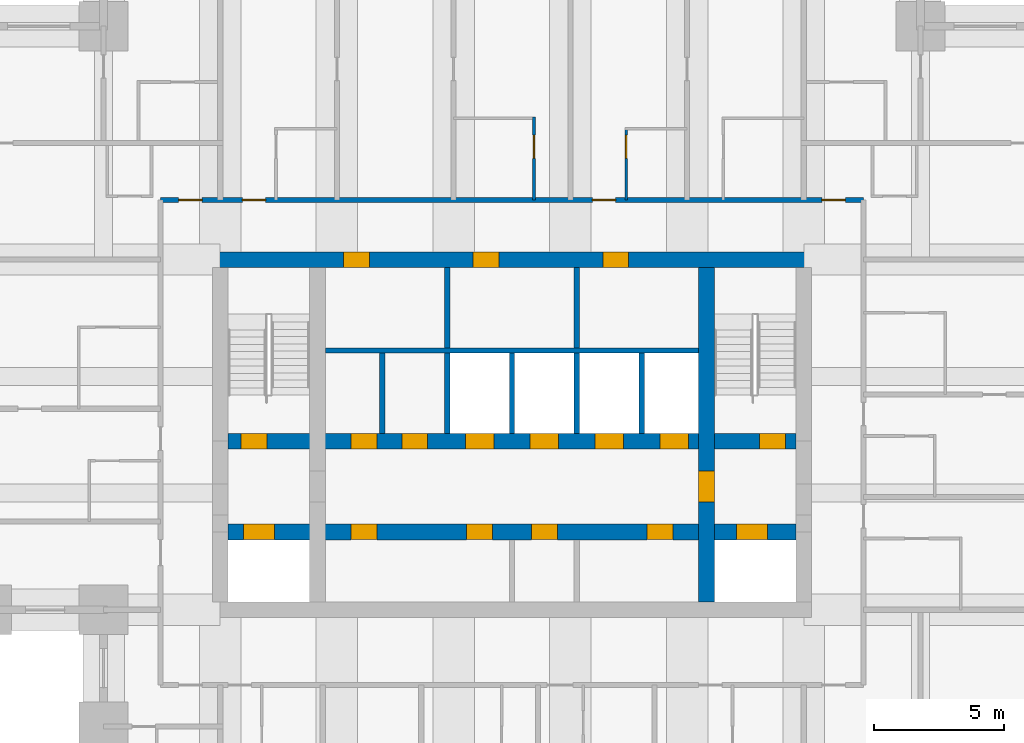
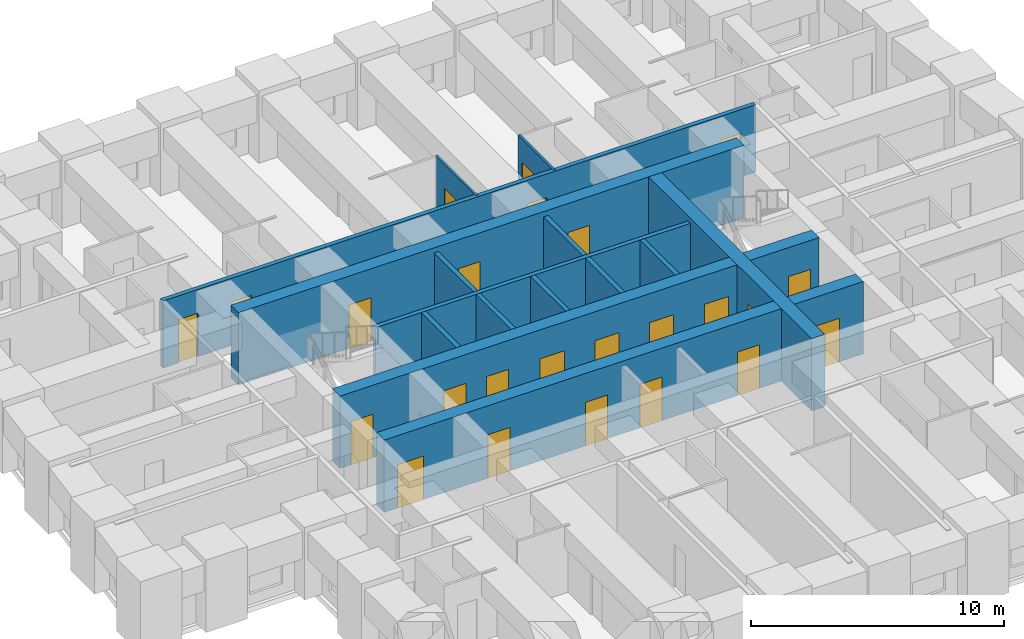
# One storey, part 4 of 8: 24 doors, 15 walls, 24 openings.
"""IFC4 building model written with IfcOpenShell, lengths in metres."""

from ifc_helpers import new_model, si_unit, direction, frame, frame_2d, origin, place, context, subcontext, project, spatial, rectangle, extrude, material, layer, layer_set, type_object, element, fill, save


model = new_model("IFC4")

# Units and contexts
model_context = context("Model", 3, precision=1e-05, world=origin(), true_north=direction((0.0, 1.0)))
body_context = subcontext(model_context, "Body", "Model", "MODEL_VIEW")
ifc_project = project(units=[si_unit("LENGTHUNIT", "METRE"), si_unit("AREAUNIT", "SQUARE_METRE"), si_unit("VOLUMEUNIT", "CUBIC_METRE"), si_unit("PLANEANGLEUNIT", "RADIAN"), si_unit("MASSUNIT", "GRAM", prefix="KILO")], contexts=[model_context])

# Site, building, storey
site_placement = place(None, origin())
site = spatial("IfcSite", under=ifc_project, at=site_placement, CompositionType="ELEMENT")
building_placement = place(site_placement, origin())
building = spatial("IfcBuilding", under=site, at=building_placement, Name="Kilele Tower Hotel", CompositionType="ELEMENT")
storey_placement = place(building_placement, frame((0.0, 0.0, 207.89990234375)))
storey = spatial("IfcBuildingStorey", under=building, at=storey_placement, Name="L54", CompositionType="ELEMENT", Elevation=207.89990234375)

# Wall, opening, door
ifc_material_1 = material(Name="Moisture-resistant board")
ifc_layer_1 = layer(ifc_material_1, 0.10009765625)
ifc_layer_set_1 = layer_set([ifc_layer_1], Name="Moisture-resistant board")
wall_type_1 = type_object("IfcWallType", Name="Bathroom partition 100", PredefinedType="PLUMBINGWALL", material=ifc_layer_set_1)
wall_1_placement = place(storey_placement, frame((25.60009765625, 29.300048828125, 0.0), z_axis=(0.0, 0.0, 1.0), x_axis=(0.0, 1.0, 0.0)))
wall_1 = element("IfcWall", 1, at=wall_1_placement, inside=storey, type_object=wall_type_1, Name="Bathroom partition 100 L54", PredefinedType="PLUMBINGWALL", context=body_context, shape_type="SweptSolid", body=[
    extrude(rectangle(XDim=3.199951171875, YDim=0.10009765625, at=frame_2d((1.60009765625, 0.0))), origin(), (0.0, 0.0, 1.0), 3.25),
])
opening_1_placement = place(wall_1_placement, frame((2.5, 0.0, 0.0), z_axis=(0.0, 0.0, 1.0), x_axis=(-1.0, 0.0, 0.0)))
opening_1 = element("IfcOpeningElement", 2, at=opening_1_placement, cuts=wall_1, Name="Opening D2A", PredefinedType="OPENING", context=body_context, shape_type="SweptSolid", body=[
    extrude(rectangle(XDim=0.89990234375, YDim=2.10009765625, at=frame_2d((0.449951171875, 1.050048828125))), frame((0.0, 0.06005859375, 0.0), z_axis=(0.0, -1.0, 0.0), x_axis=(1.0, 0.0, 0.0)), (0.0, 0.0, 1.0), 0.1201171875),
])
ifc_material_2 = material(Name="Timber door leaf in hardwood frame", Category="wood")
door_type_1 = type_object("IfcDoorType", Name="Bathroom door 900", OperationType="SINGLE_SWING_LEFT", PredefinedType="DOOR", material=ifc_material_2)
door_1_placement = place(opening_1_placement, origin())
door_1 = element("IfcDoor", 3, at=door_1_placement, inside=storey, type_object=door_type_1, Name="Bathroom door 5411B", OperationType="SINGLE_SWING_RIGHT", OverallHeight=2.10009765625, OverallWidth=0.89990234375, PredefinedType="DOOR", context=body_context, shape_type="SweptSolid", body=[
    extrude(rectangle(XDim=0.89990234375, YDim=2.10009765625, at=frame_2d((0.449951171875, 1.050048828125))), frame((0.0, 0.02490234375, 0.0), z_axis=(0.0, -1.0, 0.0), x_axis=(1.0, 0.0, 0.0)), (0.0, 0.0, 1.0), 0.050048828125),
])
fill(opening_1, door_1)

wall_2_placement = place(storey_placement, frame((29.14990234375, 29.300048828125, 0.0), z_axis=(0.0, 0.0, 1.0), x_axis=(0.0, 1.0, 0.0)))
wall_2 = element("IfcWall", 4, at=wall_2_placement, inside=storey, type_object=wall_type_1, Name="Bathroom partition 100 L54", PredefinedType="PLUMBINGWALL", context=body_context, shape_type="SweptSolid", body=[
    extrude(rectangle(XDim=2.800048828125, YDim=0.10009765625, at=frame_2d((1.39990234375, 0.0))), origin(), (0.0, 0.0, 1.0), 3.25),
])
opening_2_placement = place(wall_2_placement, frame((1.60009765625, 0.0, 0.0)))
opening_2 = element("IfcOpeningElement", 5, at=opening_2_placement, cuts=wall_2, Name="Opening D2A", PredefinedType="OPENING", context=body_context, shape_type="SweptSolid", body=[
    extrude(rectangle(XDim=0.89990234375, YDim=2.10009765625, at=frame_2d((0.449951171875, 1.050048828125))), frame((0.0, 0.06005859375, 0.0), z_axis=(0.0, -1.0, 0.0), x_axis=(1.0, 0.0, 0.0)), (0.0, 0.0, 1.0), 0.1201171875),
])
door_2_placement = place(opening_2_placement, origin())
door_2 = element("IfcDoor", 6, at=door_2_placement, inside=storey, type_object=door_type_1, Name="Bathroom door 5412B", OperationType="SINGLE_SWING_LEFT", OverallHeight=2.10009765625, OverallWidth=0.89990234375, PredefinedType="DOOR", context=body_context, shape_type="SweptSolid", body=[
    extrude(rectangle(XDim=0.89990234375, YDim=2.10009765625, at=frame_2d((0.449951171875, 1.050048828125))), frame((0.0, 0.02490234375, 0.0), z_axis=(0.0, -1.0, 0.0), x_axis=(1.0, 0.0, 0.0)), (0.0, 0.0, 1.0), 0.050048828125),
])
fill(opening_2, door_2)

# Wall, openings, doors
ifc_material_3 = material(Name="Concrete C70/85", Category="concrete")
ifc_layer_2 = layer(ifc_material_3, 0.60009765625)
ifc_layer_set_2 = layer_set([ifc_layer_2], Name="Concrete C70/85")
wall_type_2 = type_object("IfcWallType", Name="Core wall 600 C70/85", PredefinedType="SHEAR", material=ifc_layer_set_2)
wall_3_placement = place(storey_placement, frame((36.300048828125, 27.0, 0.0), z_axis=(0.0, 0.0, 1.0), x_axis=(-1.0, 0.0, 0.0)))
wall_3 = element("IfcWall", 7, at=wall_3_placement, inside=storey, type_object=wall_type_2, Name="Core wall N L54", PredefinedType="SHEAR", context=body_context, shape_type="SweptSolid", body=[
    extrude(rectangle(XDim=23.10009765625, YDim=0.60009765625, at=frame_2d((11.550048828125, 0.0))), origin(), (0.0, 0.0, 1.0), 3.5),
])
opening_3_placement = place(wall_3_placement, frame((17.050048828125, 0.0, 0.0)))
opening_3 = element("IfcOpeningElement", 8, at=opening_3_placement, cuts=wall_3, Name="Opening D6", PredefinedType="OPENING", context=body_context, shape_type="SweptSolid", body=[
    extrude(rectangle(XDim=1.0, YDim=2.10009765625, at=frame_2d((0.5, 1.050048828125))), frame((0.0, 0.31005859375, 0.0), z_axis=(0.0, -1.0, 0.0), x_axis=(1.0, 0.0, 0.0)), (0.0, 0.0, 1.0), 0.6201171875),
])
opening_4_placement = place(wall_3_placement, frame((12.050048828125, 0.0, 0.0)))
opening_4 = element("IfcOpeningElement", 9, at=opening_4_placement, cuts=wall_3, Name="Opening D6", PredefinedType="OPENING", context=body_context, shape_type="SweptSolid", body=[
    extrude(rectangle(XDim=1.0, YDim=2.10009765625, at=frame_2d((0.5, 1.050048828125))), frame((0.0, 0.31005859375, 0.0), z_axis=(0.0, -1.0, 0.0), x_axis=(1.0, 0.0, 0.0)), (0.0, 0.0, 1.0), 0.6201171875),
])
opening_5_placement = place(wall_3_placement, frame((7.050048828125, 0.0, 0.0)))
opening_5 = element("IfcOpeningElement", 10, at=opening_5_placement, cuts=wall_3, Name="Opening D6", PredefinedType="OPENING", context=body_context, shape_type="SweptSolid", body=[
    extrude(rectangle(XDim=1.0, YDim=2.10009765625, at=frame_2d((0.5, 1.050048828125))), frame((0.0, 0.31005859375, 0.0), z_axis=(0.0, -1.0, 0.0), x_axis=(1.0, 0.0, 0.0)), (0.0, 0.0, 1.0), 0.6201171875),
])
ifc_material_4 = material(Name="Timber door leaf in hardwood frame", Category="wood")
door_type_2 = type_object("IfcDoorType", Name="Riser door 1000", OperationType="SINGLE_SWING_LEFT", PredefinedType="DOOR", material=ifc_material_4)
door_3_placement = place(opening_3_placement, origin())
door_3 = element("IfcDoor", 11, at=door_3_placement, inside=storey, type_object=door_type_2, Name="Service riser door L54", OperationType="SINGLE_SWING_RIGHT", OverallHeight=2.10009765625, OverallWidth=1.0, PredefinedType="DOOR", context=body_context, shape_type="SweptSolid", body=[
    extrude(rectangle(XDim=1.0, YDim=2.10009765625, at=frame_2d((0.5, 1.050048828125))), frame((0.0, 0.2998046875, 0.0), z_axis=(0.0, -1.0, 0.0), x_axis=(1.0, 0.0, 0.0)), (0.0, 0.0, 1.0), 0.599609375),
])
fill(opening_3, door_3)
door_4_placement = place(opening_4_placement, origin())
door_4 = element("IfcDoor", 12, at=door_4_placement, inside=storey, type_object=door_type_2, Name="Housekeeping store door L54", OperationType="SINGLE_SWING_RIGHT", OverallHeight=2.10009765625, OverallWidth=1.0, PredefinedType="DOOR", context=body_context, shape_type="SweptSolid", body=[
    extrude(rectangle(XDim=1.0, YDim=2.10009765625, at=frame_2d((0.5, 1.050048828125))), frame((0.0, 0.2998046875, 0.0), z_axis=(0.0, -1.0, 0.0), x_axis=(1.0, 0.0, 0.0)), (0.0, 0.0, 1.0), 0.599609375),
])
fill(opening_4, door_4)
door_5_placement = place(opening_5_placement, origin())
door_5 = element("IfcDoor", 13, at=door_5_placement, inside=storey, type_object=door_type_2, Name="Electrical riser door L54", OperationType="SINGLE_SWING_RIGHT", OverallHeight=2.10009765625, OverallWidth=1.0, PredefinedType="DOOR", context=body_context, shape_type="SweptSolid", body=[
    extrude(rectangle(XDim=1.0, YDim=2.10009765625, at=frame_2d((0.5, 1.050048828125))), frame((0.0, 0.2998046875, 0.0), z_axis=(0.0, -1.0, 0.0), x_axis=(1.0, 0.0, 0.0)), (0.0, 0.0, 1.0), 0.599609375),
])
fill(opening_5, door_5)

# Wall, opening, door
wall_4_placement = place(storey_placement, frame((32.25, 13.800048828125, 0.0), z_axis=(0.0, 0.0, 1.0), x_axis=(0.0, 1.0, 0.0)))
wall_4 = element("IfcWall", 14, at=wall_4_placement, inside=storey, type_object=wall_type_2, Name="Core wall IE L54", PredefinedType="SHEAR", context=body_context, shape_type="SweptSolid", body=[
    extrude(rectangle(XDim=12.89990234375, YDim=0.60009765625, at=frame_2d((6.449951171875, 0.0))), origin(), (0.0, 0.0, 1.0), 3.5),
])
opening_6_placement = place(wall_4_placement, frame((5.050048828125, 0.0, 0.0), z_axis=(0.0, 0.0, 1.0), x_axis=(-1.0, 0.0, 0.0)))
opening_6 = element("IfcOpeningElement", 15, at=opening_6_placement, cuts=wall_4, Name="Opening D4", PredefinedType="OPENING", context=body_context, shape_type="SweptSolid", body=[
    extrude(rectangle(XDim=1.199951171875, YDim=2.10009765625, at=frame_2d((0.60009765625, 1.050048828125))), frame((0.0, 0.31005859375, 0.0), z_axis=(0.0, -1.0, 0.0), x_axis=(1.0, 0.0, 0.0)), (0.0, 0.0, 1.0), 0.6201171875),
])
ifc_material_5 = material(Name="Timber door leaf in hardwood frame", Category="wood")
door_type_3 = type_object("IfcDoorType", Name="Firefighting lobby door 1200", OperationType="SINGLE_SWING_LEFT", PredefinedType="DOOR", material=ifc_material_5)
door_6_placement = place(opening_6_placement, origin())
door_6 = element("IfcDoor", 16, at=door_6_placement, inside=storey, type_object=door_type_3, Name="Lobby door L54", OperationType="SINGLE_SWING_RIGHT", OverallHeight=2.10009765625, OverallWidth=1.199951171875, PredefinedType="DOOR", context=body_context, shape_type="SweptSolid", body=[
    extrude(rectangle(XDim=1.199951171875, YDim=2.10009765625, at=frame_2d((0.60009765625, 1.050048828125))), frame((0.0, 0.2998046875, 0.0), z_axis=(0.0, -1.0, 0.0), x_axis=(1.0, 0.0, 0.0)), (0.0, 0.0, 1.0), 0.599609375),
])
fill(opening_6, door_6)

# Wall, openings, doors
wall_5_placement = place(storey_placement, frame((13.800048828125, 16.5, 0.0), z_axis=(0.0, 0.0, 1.0), x_axis=(1.0, 0.0, 0.0)))
wall_5 = element("IfcWall", 17, at=wall_5_placement, inside=storey, type_object=wall_type_2, Name="Core wall LS L54", PredefinedType="SHEAR", context=body_context, shape_type="SweptSolid", body=[
    extrude(rectangle(XDim=21.89990234375, YDim=0.60009765625, at=frame_2d((10.949951171875, 0.0))), origin(), (0.0, 0.0, 1.0), 3.5),
])
opening_7_placement = place(wall_5_placement, frame((5.75, 0.0, 0.0), z_axis=(0.0, 0.0, 1.0), x_axis=(-1.0, 0.0, 0.0)))
opening_7 = element("IfcOpeningElement", 18, at=opening_7_placement, cuts=wall_5, Name="Opening D11", PredefinedType="OPENING", context=body_context, shape_type="SweptSolid", body=[
    extrude(rectangle(XDim=1.0, YDim=2.10009765625, at=frame_2d((0.5, 1.050048828125))), frame((0.0, 0.31005859375, 0.0), z_axis=(0.0, -1.0, 0.0), x_axis=(1.0, 0.0, 0.0)), (0.0, 0.0, 1.0), 0.6201171875),
])
opening_8_placement = place(wall_5_placement, frame((10.199951171875, 0.0, 0.0), z_axis=(0.0, 0.0, 1.0), x_axis=(-1.0, 0.0, 0.0)))
opening_8 = element("IfcOpeningElement", 19, at=opening_8_placement, cuts=wall_5, Name="Opening D11", PredefinedType="OPENING", context=body_context, shape_type="SweptSolid", body=[
    extrude(rectangle(XDim=1.0, YDim=2.10009765625, at=frame_2d((0.5, 1.050048828125))), frame((0.0, 0.31005859375, 0.0), z_axis=(0.0, -1.0, 0.0), x_axis=(1.0, 0.0, 0.0)), (0.0, 0.0, 1.0), 0.6201171875),
])
opening_9_placement = place(wall_5_placement, frame((12.699951171875, 0.0, 0.0), z_axis=(0.0, 0.0, 1.0), x_axis=(-1.0, 0.0, 0.0)))
opening_9 = element("IfcOpeningElement", 20, at=opening_9_placement, cuts=wall_5, Name="Opening D11", PredefinedType="OPENING", context=body_context, shape_type="SweptSolid", body=[
    extrude(rectangle(XDim=1.0, YDim=2.10009765625, at=frame_2d((0.5, 1.050048828125))), frame((0.0, 0.31005859375, 0.0), z_axis=(0.0, -1.0, 0.0), x_axis=(1.0, 0.0, 0.0)), (0.0, 0.0, 1.0), 0.6201171875),
])
opening_10_placement = place(wall_5_placement, frame((17.14990234375, 0.0, 0.0), z_axis=(0.0, 0.0, 1.0), x_axis=(-1.0, 0.0, 0.0)))
opening_10 = element("IfcOpeningElement", 21, at=opening_10_placement, cuts=wall_5, Name="Opening D11", PredefinedType="OPENING", context=body_context, shape_type="SweptSolid", body=[
    extrude(rectangle(XDim=1.0, YDim=2.10009765625, at=frame_2d((0.5, 1.050048828125))), frame((0.0, 0.31005859375, 0.0), z_axis=(0.0, -1.0, 0.0), x_axis=(1.0, 0.0, 0.0)), (0.0, 0.0, 1.0), 0.6201171875),
])
opening_11_placement = place(wall_5_placement, frame((0.60009765625, 0.0, 0.0)))
opening_11 = element("IfcOpeningElement", 22, at=opening_11_placement, cuts=wall_5, Name="Opening LD2", PredefinedType="OPENING", context=body_context, shape_type="SweptSolid", body=[
    extrude(rectangle(XDim=1.199951171875, YDim=2.10009765625, at=frame_2d((0.60009765625, 1.050048828125))), frame((0.0, 0.31005859375, 0.0), z_axis=(0.0, -1.0, 0.0), x_axis=(1.0, 0.0, 0.0)), (0.0, 0.0, 1.0), 0.6201171875),
])
opening_12_placement = place(wall_5_placement, frame((19.60009765625, 0.0, 0.0)))
opening_12 = element("IfcOpeningElement", 23, at=opening_12_placement, cuts=wall_5, Name="Opening LD2", PredefinedType="OPENING", context=body_context, shape_type="SweptSolid", body=[
    extrude(rectangle(XDim=1.199951171875, YDim=2.10009765625, at=frame_2d((0.60009765625, 1.050048828125))), frame((0.0, 0.31005859375, 0.0), z_axis=(0.0, -1.0, 0.0), x_axis=(1.0, 0.0, 0.0)), (0.0, 0.0, 1.0), 0.6201171875),
])
ifc_material_6 = material(Name="Timber door leaf in hardwood frame", Category="wood")
door_type_4 = type_object("IfcDoorType", Name="Core store door 1000", OperationType="SINGLE_SWING_LEFT", PredefinedType="DOOR", material=ifc_material_6)
door_7_placement = place(opening_7_placement, origin())
door_7 = element("IfcDoor", 24, at=door_7_placement, inside=storey, type_object=door_type_4, Name="Core room door L1 L54", OperationType="SINGLE_SWING_RIGHT", OverallHeight=2.10009765625, OverallWidth=1.0, PredefinedType="DOOR", context=body_context, shape_type="SweptSolid", body=[
    extrude(rectangle(XDim=1.0, YDim=2.10009765625, at=frame_2d((0.5, 1.050048828125))), frame((0.0, 0.2998046875, 0.0), z_axis=(0.0, -1.0, 0.0), x_axis=(1.0, 0.0, 0.0)), (0.0, 0.0, 1.0), 0.599609375),
])
fill(opening_7, door_7)
door_8_placement = place(opening_8_placement, origin())
door_8 = element("IfcDoor", 25, at=door_8_placement, inside=storey, type_object=door_type_4, Name="Core room door L3 L54", OperationType="SINGLE_SWING_LEFT", OverallHeight=2.10009765625, OverallWidth=1.0, PredefinedType="DOOR", context=body_context, shape_type="SweptSolid", body=[
    extrude(rectangle(XDim=1.0, YDim=2.10009765625, at=frame_2d((0.5, 1.050048828125))), frame((0.0, 0.2998046875, 0.0), z_axis=(0.0, -1.0, 0.0), x_axis=(1.0, 0.0, 0.0)), (0.0, 0.0, 1.0), 0.599609375),
])
fill(opening_8, door_8)
door_9_placement = place(opening_9_placement, origin())
door_9 = element("IfcDoor", 26, at=door_9_placement, inside=storey, type_object=door_type_4, Name="Core room door M1 L54", OperationType="SINGLE_SWING_LEFT", OverallHeight=2.10009765625, OverallWidth=1.0, PredefinedType="DOOR", context=body_context, shape_type="SweptSolid", body=[
    extrude(rectangle(XDim=1.0, YDim=2.10009765625, at=frame_2d((0.5, 1.050048828125))), frame((0.0, 0.2998046875, 0.0), z_axis=(0.0, -1.0, 0.0), x_axis=(1.0, 0.0, 0.0)), (0.0, 0.0, 1.0), 0.599609375),
])
fill(opening_9, door_9)
door_10_placement = place(opening_10_placement, origin())
door_10 = element("IfcDoor", 27, at=door_10_placement, inside=storey, type_object=door_type_4, Name="Core room door M3 L54", OperationType="SINGLE_SWING_LEFT", OverallHeight=2.10009765625, OverallWidth=1.0, PredefinedType="DOOR", context=body_context, shape_type="SweptSolid", body=[
    extrude(rectangle(XDim=1.0, YDim=2.10009765625, at=frame_2d((0.5, 1.050048828125))), frame((0.0, 0.2998046875, 0.0), z_axis=(0.0, -1.0, 0.0), x_axis=(1.0, 0.0, 0.0)), (0.0, 0.0, 1.0), 0.599609375),
])
fill(opening_10, door_10)
ifc_material_7 = material(Name="Steel lift landing door", Category="steel")
door_type_5 = type_object("IfcDoorType", Name="Firefighting lift landing door 1200", OperationType="SLIDING_TO_LEFT", PredefinedType="DOOR", material=ifc_material_7)
door_11_placement = place(opening_11_placement, origin())
door_11 = element("IfcDoor", 28, at=door_11_placement, inside=storey, type_object=door_type_5, Name="Landing door FFW L54", OperationType="SLIDING_TO_LEFT", OverallHeight=2.10009765625, OverallWidth=1.199951171875, PredefinedType="DOOR", context=body_context, shape_type="SweptSolid", body=[
    extrude(rectangle(XDim=1.199951171875, YDim=2.10009765625, at=frame_2d((0.60009765625, 1.050048828125))), frame((0.0, 0.2998046875, 0.0), z_axis=(0.0, -1.0, 0.0), x_axis=(1.0, 0.0, 0.0)), (0.0, 0.0, 1.0), 0.599609375),
])
fill(opening_11, door_11)
door_12_placement = place(opening_12_placement, origin())
door_12 = element("IfcDoor", 29, at=door_12_placement, inside=storey, type_object=door_type_5, Name="Landing door FFE L54", OperationType="SLIDING_TO_LEFT", OverallHeight=2.10009765625, OverallWidth=1.199951171875, PredefinedType="DOOR", context=body_context, shape_type="SweptSolid", body=[
    extrude(rectangle(XDim=1.199951171875, YDim=2.10009765625, at=frame_2d((0.60009765625, 1.050048828125))), frame((0.0, 0.2998046875, 0.0), z_axis=(0.0, -1.0, 0.0), x_axis=(1.0, 0.0, 0.0)), (0.0, 0.0, 1.0), 0.599609375),
])
fill(opening_12, door_12)

wall_6_placement = place(storey_placement, frame((13.800048828125, 20.0, 0.0), z_axis=(0.0, 0.0, 1.0), x_axis=(1.0, 0.0, 0.0)))
wall_6 = element("IfcWall", 30, at=wall_6_placement, inside=storey, type_object=wall_type_2, Name="Core wall LN L54", PredefinedType="SHEAR", context=body_context, shape_type="SweptSolid", body=[
    extrude(rectangle(XDim=21.89990234375, YDim=0.60009765625, at=frame_2d((10.949951171875, 0.0))), origin(), (0.0, 0.0, 1.0), 3.5),
])
opening_13_placement = place(wall_6_placement, frame((0.5, 0.0, 0.0)))
opening_13 = element("IfcOpeningElement", 31, at=opening_13_placement, cuts=wall_6, Name="Opening D5", PredefinedType="OPENING", context=body_context, shape_type="SweptSolid", body=[
    extrude(rectangle(XDim=1.0, YDim=2.10009765625, at=frame_2d((0.5, 1.050048828125))), frame((0.0, 0.31005859375, 0.0), z_axis=(0.0, -1.0, 0.0), x_axis=(1.0, 0.0, 0.0)), (0.0, 0.0, 1.0), 0.6201171875),
])
opening_14_placement = place(wall_6_placement, frame((20.5, 0.0, 0.0)))
opening_14 = element("IfcOpeningElement", 32, at=opening_14_placement, cuts=wall_6, Name="Opening D5", PredefinedType="OPENING", context=body_context, shape_type="SweptSolid", body=[
    extrude(rectangle(XDim=1.0, YDim=2.10009765625, at=frame_2d((0.5, 1.050048828125))), frame((0.0, 0.31005859375, 0.0), z_axis=(0.0, -1.0, 0.0), x_axis=(1.0, 0.0, 0.0)), (0.0, 0.0, 1.0), 0.6201171875),
])
opening_15_placement = place(wall_6_placement, frame((9.14990234375, 0.0, 0.0)))
opening_15 = element("IfcOpeningElement", 33, at=opening_15_placement, cuts=wall_6, Name="Opening LD1", PredefinedType="OPENING", context=body_context, shape_type="SweptSolid", body=[
    extrude(rectangle(XDim=1.10009765625, YDim=2.10009765625, at=frame_2d((0.550048828125, 1.050048828125))), frame((0.0, 0.31005859375, 0.0), z_axis=(0.0, -1.0, 0.0), x_axis=(1.0, 0.0, 0.0)), (0.0, 0.0, 1.0), 0.6201171875),
])
opening_16_placement = place(wall_6_placement, frame((11.64990234375, 0.0, 0.0)))
opening_16 = element("IfcOpeningElement", 34, at=opening_16_placement, cuts=wall_6, Name="Opening LD1", PredefinedType="OPENING", context=body_context, shape_type="SweptSolid", body=[
    extrude(rectangle(XDim=1.10009765625, YDim=2.10009765625, at=frame_2d((0.550048828125, 1.050048828125))), frame((0.0, 0.31005859375, 0.0), z_axis=(0.0, -1.0, 0.0), x_axis=(1.0, 0.0, 0.0)), (0.0, 0.0, 1.0), 0.6201171875),
])
opening_17_placement = place(wall_6_placement, frame((14.14990234375, 0.0, 0.0)))
opening_17 = element("IfcOpeningElement", 35, at=opening_17_placement, cuts=wall_6, Name="Opening LD1", PredefinedType="OPENING", context=body_context, shape_type="SweptSolid", body=[
    extrude(rectangle(XDim=1.10009765625, YDim=2.10009765625, at=frame_2d((0.550048828125, 1.050048828125))), frame((0.0, 0.31005859375, 0.0), z_axis=(0.0, -1.0, 0.0), x_axis=(1.0, 0.0, 0.0)), (0.0, 0.0, 1.0), 0.6201171875),
])
opening_18_placement = place(wall_6_placement, frame((16.64990234375, 0.0, 0.0)))
opening_18 = element("IfcOpeningElement", 36, at=opening_18_placement, cuts=wall_6, Name="Opening LD1", PredefinedType="OPENING", context=body_context, shape_type="SweptSolid", body=[
    extrude(rectangle(XDim=1.10009765625, YDim=2.10009765625, at=frame_2d((0.550048828125, 1.050048828125))), frame((0.0, 0.31005859375, 0.0), z_axis=(0.0, -1.0, 0.0), x_axis=(1.0, 0.0, 0.0)), (0.0, 0.0, 1.0), 0.6201171875),
])
opening_19_placement = place(wall_6_placement, frame((4.75, 0.0, 0.0)))
opening_19 = element("IfcOpeningElement", 37, at=opening_19_placement, cuts=wall_6, Name="Opening D11", PredefinedType="OPENING", context=body_context, shape_type="SweptSolid", body=[
    extrude(rectangle(XDim=1.0, YDim=2.10009765625, at=frame_2d((0.5, 1.050048828125))), frame((0.0, 0.31005859375, 0.0), z_axis=(0.0, -1.0, 0.0), x_axis=(1.0, 0.0, 0.0)), (0.0, 0.0, 1.0), 0.6201171875),
])
opening_20_placement = place(wall_6_placement, frame((6.699951171875, 0.0, 0.0)))
opening_20 = element("IfcOpeningElement", 38, at=opening_20_placement, cuts=wall_6, Name="Opening D11", PredefinedType="OPENING", context=body_context, shape_type="SweptSolid", body=[
    extrude(rectangle(XDim=1.0, YDim=2.10009765625, at=frame_2d((0.5, 1.050048828125))), frame((0.0, 0.31005859375, 0.0), z_axis=(0.0, -1.0, 0.0), x_axis=(1.0, 0.0, 0.0)), (0.0, 0.0, 1.0), 0.6201171875),
])
door_13_placement = place(opening_19_placement, origin())
door_13 = element("IfcDoor", 39, at=door_13_placement, inside=storey, type_object=door_type_4, Name="Core room door S1 L54", OperationType="SINGLE_SWING_RIGHT", OverallHeight=2.10009765625, OverallWidth=1.0, PredefinedType="DOOR", context=body_context, shape_type="SweptSolid", body=[
    extrude(rectangle(XDim=1.0, YDim=2.10009765625, at=frame_2d((0.5, 1.050048828125))), frame((0.0, 0.2998046875, 0.0), z_axis=(0.0, -1.0, 0.0), x_axis=(1.0, 0.0, 0.0)), (0.0, 0.0, 1.0), 0.599609375),
])
fill(opening_19, door_13)
door_14_placement = place(opening_20_placement, origin())
door_14 = element("IfcDoor", 40, at=door_14_placement, inside=storey, type_object=door_type_4, Name="Core room door S2 L54", OperationType="SINGLE_SWING_LEFT", OverallHeight=2.10009765625, OverallWidth=1.0, PredefinedType="DOOR", context=body_context, shape_type="SweptSolid", body=[
    extrude(rectangle(XDim=1.0, YDim=2.10009765625, at=frame_2d((0.5, 1.050048828125))), frame((0.0, 0.2998046875, 0.0), z_axis=(0.0, -1.0, 0.0), x_axis=(1.0, 0.0, 0.0)), (0.0, 0.0, 1.0), 0.599609375),
])
fill(opening_20, door_14)
ifc_material_8 = material(Name="Steel lift landing door", Category="steel")
door_type_6 = type_object("IfcDoorType", Name="Lift landing door 1100", OperationType="SLIDING_TO_LEFT", PredefinedType="DOOR", material=ifc_material_8)
door_15_placement = place(opening_15_placement, origin())
door_15 = element("IfcDoor", 41, at=door_15_placement, inside=storey, type_object=door_type_6, Name="Landing door H1 L54", OperationType="SLIDING_TO_LEFT", OverallHeight=2.10009765625, OverallWidth=1.10009765625, PredefinedType="DOOR", context=body_context, shape_type="SweptSolid", body=[
    extrude(rectangle(XDim=1.10009765625, YDim=2.10009765625, at=frame_2d((0.550048828125, 1.050048828125))), frame((0.0, 0.2998046875, 0.0), z_axis=(0.0, -1.0, 0.0), x_axis=(1.0, 0.0, 0.0)), (0.0, 0.0, 1.0), 0.599609375),
])
fill(opening_15, door_15)
door_16_placement = place(opening_16_placement, origin())
door_16 = element("IfcDoor", 42, at=door_16_placement, inside=storey, type_object=door_type_6, Name="Landing door H2 L54", OperationType="SLIDING_TO_LEFT", OverallHeight=2.10009765625, OverallWidth=1.10009765625, PredefinedType="DOOR", context=body_context, shape_type="SweptSolid", body=[
    extrude(rectangle(XDim=1.10009765625, YDim=2.10009765625, at=frame_2d((0.550048828125, 1.050048828125))), frame((0.0, 0.2998046875, 0.0), z_axis=(0.0, -1.0, 0.0), x_axis=(1.0, 0.0, 0.0)), (0.0, 0.0, 1.0), 0.599609375),
])
fill(opening_16, door_16)
door_17_placement = place(opening_17_placement, origin())
door_17 = element("IfcDoor", 43, at=door_17_placement, inside=storey, type_object=door_type_6, Name="Landing door H3 L54", OperationType="SLIDING_TO_LEFT", OverallHeight=2.10009765625, OverallWidth=1.10009765625, PredefinedType="DOOR", context=body_context, shape_type="SweptSolid", body=[
    extrude(rectangle(XDim=1.10009765625, YDim=2.10009765625, at=frame_2d((0.550048828125, 1.050048828125))), frame((0.0, 0.2998046875, 0.0), z_axis=(0.0, -1.0, 0.0), x_axis=(1.0, 0.0, 0.0)), (0.0, 0.0, 1.0), 0.599609375),
])
fill(opening_17, door_17)
door_18_placement = place(opening_18_placement, origin())
door_18 = element("IfcDoor", 44, at=door_18_placement, inside=storey, type_object=door_type_6, Name="Landing door G1 L54", OperationType="SLIDING_TO_LEFT", OverallHeight=2.10009765625, OverallWidth=1.10009765625, PredefinedType="DOOR", context=body_context, shape_type="SweptSolid", body=[
    extrude(rectangle(XDim=1.10009765625, YDim=2.10009765625, at=frame_2d((0.550048828125, 1.050048828125))), frame((0.0, 0.2998046875, 0.0), z_axis=(0.0, -1.0, 0.0), x_axis=(1.0, 0.0, 0.0)), (0.0, 0.0, 1.0), 0.599609375),
])
fill(opening_18, door_18)
ifc_material_9 = material(Name="Timber door leaf in hardwood frame", Category="wood")
door_type_7 = type_object("IfcDoorType", Name="Stair door 1000", OperationType="SINGLE_SWING_LEFT", PredefinedType="DOOR", material=ifc_material_9)
door_19_placement = place(opening_13_placement, origin())
door_19 = element("IfcDoor", 45, at=door_19_placement, inside=storey, type_object=door_type_7, Name="Stair 1 door L54", OperationType="SINGLE_SWING_LEFT", OverallHeight=2.10009765625, OverallWidth=1.0, PredefinedType="DOOR", context=body_context, shape_type="SweptSolid", body=[
    extrude(rectangle(XDim=1.0, YDim=2.10009765625, at=frame_2d((0.5, 1.050048828125))), frame((0.0, 0.2998046875, 0.0), z_axis=(0.0, -1.0, 0.0), x_axis=(1.0, 0.0, 0.0)), (0.0, 0.0, 1.0), 0.599609375),
])
fill(opening_13, door_19)
door_20_placement = place(opening_14_placement, origin())
door_20 = element("IfcDoor", 46, at=door_20_placement, inside=storey, type_object=door_type_7, Name="Stair 2 door L54", OperationType="SINGLE_SWING_RIGHT", OverallHeight=2.10009765625, OverallWidth=1.0, PredefinedType="DOOR", context=body_context, shape_type="SweptSolid", body=[
    extrude(rectangle(XDim=1.0, YDim=2.10009765625, at=frame_2d((0.5, 1.050048828125))), frame((0.0, 0.2998046875, 0.0), z_axis=(0.0, -1.0, 0.0), x_axis=(1.0, 0.0, 0.0)), (0.0, 0.0, 1.0), 0.599609375),
])
fill(opening_14, door_20)

ifc_material_10 = material(Name="Blockwork, plastered both sides", Category="masonry")
ifc_layer_3 = layer(ifc_material_10, 0.199951171875)
ifc_layer_set_3 = layer_set([ifc_layer_3], Name="Blockwork, plastered both sides")
wall_type_3 = type_object("IfcWallType", Name="Corridor wall 200", PredefinedType="PARTITIONING", material=ifc_layer_set_3)
wall_7_placement = place(storey_placement, frame((11.199951171875, 29.300048828125, 0.0), z_axis=(0.0, 0.0, 1.0), x_axis=(1.0, 0.0, 0.0)))
wall_7 = element("IfcWall", 47, at=wall_7_placement, inside=storey, type_object=wall_type_3, Name="Corridor wall 200 L54", PredefinedType="PARTITIONING", context=body_context, shape_type="SweptSolid", body=[
    extrude(rectangle(XDim=27.10009765625, YDim=0.199951171875, at=frame_2d((13.550048828125, 0.0))), origin(), (0.0, 0.0, 1.0), 3.25),
])
opening_21_placement = place(wall_7_placement, frame((3.14990234375, 0.0, 0.0)))
opening_21 = element("IfcOpeningElement", 48, at=opening_21_placement, cuts=wall_7, Name="Opening D1", PredefinedType="OPENING", context=body_context, shape_type="SweptSolid", body=[
    extrude(rectangle(XDim=0.89990234375, YDim=2.10009765625, at=frame_2d((0.449951171875, 1.050048828125))), frame((0.0, 0.10986328125, 0.0), z_axis=(0.0, -1.0, 0.0), x_axis=(1.0, 0.0, 0.0)), (0.0, 0.0, 1.0), 0.219970703125),
])
opening_22_placement = place(wall_7_placement, frame((16.64990234375, 0.0, 0.0)))
opening_22 = element("IfcOpeningElement", 49, at=opening_22_placement, cuts=wall_7, Name="Opening D1", PredefinedType="OPENING", context=body_context, shape_type="SweptSolid", body=[
    extrude(rectangle(XDim=0.89990234375, YDim=2.10009765625, at=frame_2d((0.449951171875, 1.050048828125))), frame((0.0, 0.10986328125, 0.0), z_axis=(0.0, -1.0, 0.0), x_axis=(1.0, 0.0, 0.0)), (0.0, 0.0, 1.0), 0.219970703125),
])
opening_23_placement = place(wall_7_placement, frame((25.5, 0.0, 0.0)))
opening_23 = element("IfcOpeningElement", 50, at=opening_23_placement, cuts=wall_7, Name="Opening D1", PredefinedType="OPENING", context=body_context, shape_type="SweptSolid", body=[
    extrude(rectangle(XDim=0.89990234375, YDim=2.10009765625, at=frame_2d((0.449951171875, 1.050048828125))), frame((0.0, 0.10986328125, 0.0), z_axis=(0.0, -1.0, 0.0), x_axis=(1.0, 0.0, 0.0)), (0.0, 0.0, 1.0), 0.219970703125),
])
opening_24_placement = place(wall_7_placement, frame((0.699951171875, 0.0, 0.0)))
opening_24 = element("IfcOpeningElement", 51, at=opening_24_placement, cuts=wall_7, Name="Opening D1", PredefinedType="OPENING", context=body_context, shape_type="SweptSolid", body=[
    extrude(rectangle(XDim=0.89990234375, YDim=2.10009765625, at=frame_2d((0.449951171875, 1.050048828125))), frame((0.0, 0.10986328125, 0.0), z_axis=(0.0, -1.0, 0.0), x_axis=(1.0, 0.0, 0.0)), (0.0, 0.0, 1.0), 0.219970703125),
])
ifc_material_11 = material(Name="Timber door leaf in hardwood frame", Category="wood")
door_type_8 = type_object("IfcDoorType", Name="Guest room entrance door 900", OperationType="SINGLE_SWING_LEFT", PredefinedType="DOOR", material=ifc_material_11)
door_21_placement = place(opening_21_placement, origin())
door_21 = element("IfcDoor", 52, at=door_21_placement, inside=storey, type_object=door_type_8, Name="Room entrance 5409", OperationType="SINGLE_SWING_RIGHT", OverallHeight=2.10009765625, OverallWidth=0.89990234375, PredefinedType="DOOR", context=body_context, shape_type="SweptSolid", body=[
    extrude(rectangle(XDim=0.89990234375, YDim=2.10009765625, at=frame_2d((0.449951171875, 1.050048828125))), frame((0.0, 0.02490234375, 0.0), z_axis=(0.0, -1.0, 0.0), x_axis=(1.0, 0.0, 0.0)), (0.0, 0.0, 1.0), 0.050048828125),
])
fill(opening_21, door_21)
door_22_placement = place(opening_22_placement, origin())
door_22 = element("IfcDoor", 53, at=door_22_placement, inside=storey, type_object=door_type_8, Name="Room entrance 5412", OperationType="SINGLE_SWING_RIGHT", OverallHeight=2.10009765625, OverallWidth=0.89990234375, PredefinedType="DOOR", context=body_context, shape_type="SweptSolid", body=[
    extrude(rectangle(XDim=0.89990234375, YDim=2.10009765625, at=frame_2d((0.449951171875, 1.050048828125))), frame((0.0, 0.02490234375, 0.0), z_axis=(0.0, -1.0, 0.0), x_axis=(1.0, 0.0, 0.0)), (0.0, 0.0, 1.0), 0.050048828125),
])
fill(opening_22, door_22)
door_23_placement = place(opening_23_placement, origin())
door_23 = element("IfcDoor", 54, at=door_23_placement, inside=storey, type_object=door_type_8, Name="Room entrance 5422", OperationType="SINGLE_SWING_LEFT", OverallHeight=2.10009765625, OverallWidth=0.89990234375, PredefinedType="DOOR", context=body_context, shape_type="SweptSolid", body=[
    extrude(rectangle(XDim=0.89990234375, YDim=2.10009765625, at=frame_2d((0.449951171875, 1.050048828125))), frame((0.0, 0.02490234375, 0.0), z_axis=(0.0, -1.0, 0.0), x_axis=(1.0, 0.0, 0.0)), (0.0, 0.0, 1.0), 0.050048828125),
])
fill(opening_23, door_23)
door_24_placement = place(opening_24_placement, origin())
door_24 = element("IfcDoor", 55, at=door_24_placement, inside=storey, type_object=door_type_8, Name="Room entrance 5425", OperationType="SINGLE_SWING_RIGHT", OverallHeight=2.10009765625, OverallWidth=0.89990234375, PredefinedType="DOOR", context=body_context, shape_type="SweptSolid", body=[
    extrude(rectangle(XDim=0.89990234375, YDim=2.10009765625, at=frame_2d((0.449951171875, 1.050048828125))), frame((0.0, 0.02490234375, 0.0), z_axis=(0.0, -1.0, 0.0), x_axis=(1.0, 0.0, 0.0)), (0.0, 0.0, 1.0), 0.050048828125),
])
fill(opening_24, door_24)

# Walls
ifc_material_12 = material(Name="Blockwork, fire-rated", Category="masonry")
ifc_layer_4 = layer(ifc_material_12, 0.199951171875)
ifc_layer_set_4 = layer_set([ifc_layer_4], Name="Blockwork, fire-rated")
wall_type_4 = type_object("IfcWallType", Name="Shaft wall 200", PredefinedType="PARTITIONING", material=ifc_layer_set_4)
for number, where, z_axis, x_axis, name in (
    (56, (19.75, 20.300048828125, 0.0), (0.0, 0.0, 1.0), (0.0, 1.0, 0.0), "Shaft wall 200 L54"),
    (57, (22.25, 20.300048828125, 0.0), (0.0, 0.0, 1.0), (0.0, 1.0, 0.0), "Shaft wall 200 L54"),
    (58, (24.75, 20.300048828125, 0.0), (0.0, 0.0, 1.0), (0.0, 1.0, 0.0), "Shaft wall 200 L54"),
    (59, (27.25, 20.300048828125, 0.0), (0.0, 0.0, 1.0), (0.0, 1.0, 0.0), "Shaft wall 200 L54"),
    (60, (29.75, 20.300048828125, 0.0), (0.0, 0.0, 1.0), (0.0, 1.0, 0.0), "Shaft wall 200 L54"),
):
    element("IfcWall", number, at=place(storey_placement, frame(where, z_axis=z_axis, x_axis=x_axis)), inside=storey, type_object=wall_type_4, Name=name, PredefinedType="PARTITIONING", context=body_context, shape_type="SweptSolid", body=[
        extrude(rectangle(XDim=3.099853515625, YDim=0.199951171875, at=frame_2d((1.5498046875, 0.0))), origin(), (0.0, 0.0, 1.0), 3.25),
    ])
wall_8_placement = place(storey_placement, frame((17.550048828125, 23.5, 0.0), z_axis=(0.0, 0.0, 1.0), x_axis=(1.0, 0.0, 0.0)))
element("IfcWall", 61, at=wall_8_placement, inside=storey, type_object=wall_type_4, Name="Shaft wall 200 L54", PredefinedType="PARTITIONING", context=body_context, shape_type="SweptSolid", body=[
    extrude(rectangle(XDim=14.39990234375, YDim=0.199951171875, at=frame_2d((7.199951171875, 0.0))), origin(), (0.0, 0.0, 1.0), 3.25),
])
for number, where, z_axis, x_axis, name in (
    (62, (22.25, 23.60009765625, 0.0), (0.0, 0.0, 1.0), (0.0, 1.0, 0.0), "Shaft wall 200 L54"),
    (63, (27.25, 23.60009765625, 0.0), (0.0, 0.0, 1.0), (0.0, 1.0, 0.0), "Shaft wall 200 L54"),
):
    element("IfcWall", number, at=place(storey_placement, frame(where, z_axis=z_axis, x_axis=x_axis)), inside=storey, type_object=wall_type_4, Name=name, PredefinedType="PARTITIONING", context=body_context, shape_type="SweptSolid", body=[
        extrude(rectangle(XDim=3.099853515625, YDim=0.199951171875, at=frame_2d((1.5498046875, 0.0))), origin(), (0.0, 0.0, 1.0), 3.25),
    ])

save(model, "model.ifc")
